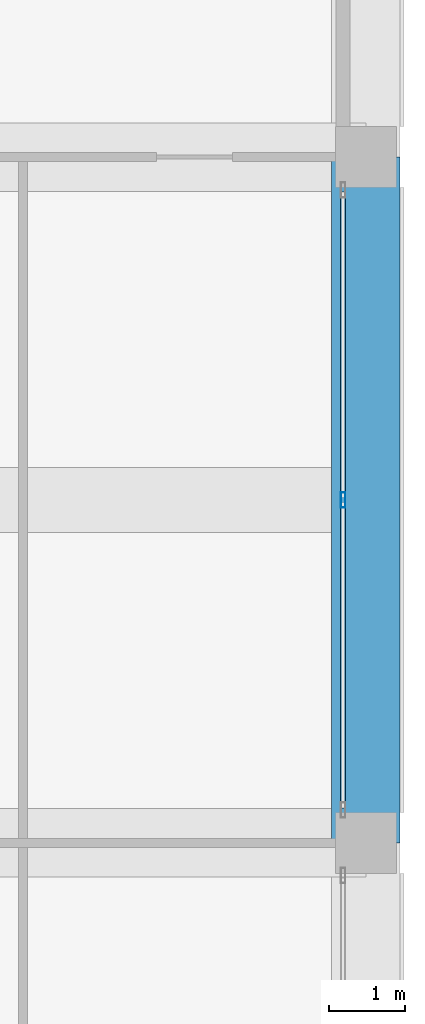
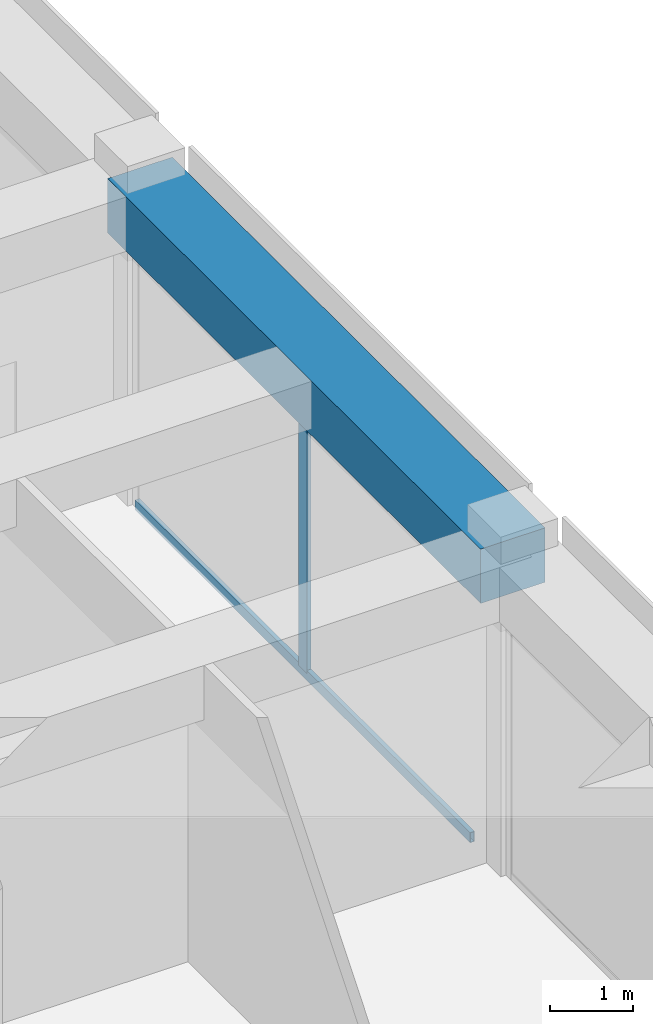
# One storey, part 35 of 46: 2 members, 1 beam, 1 element without a shape of its own.
"""IFC4 building model written with IfcOpenShell, lengths in metres."""

from ifc_helpers import new_model, si_unit, direction, frame, origin, origin_2d, place, context, subcontext, project, spatial, rectangle, hollow_rectangle, extrude, material, material_profile, profile_set, type_object, element, aggregate, save


model = new_model("IFC4")

# Units and contexts
model_context = context("Model", 3, precision=1e-05, world=origin(), true_north=direction((0.0, 1.0)))
body_context = subcontext(model_context, "Body", "Model", "MODEL_VIEW")
ifc_project = project(units=[si_unit("LENGTHUNIT", "METRE"), si_unit("AREAUNIT", "SQUARE_METRE"), si_unit("VOLUMEUNIT", "CUBIC_METRE"), si_unit("PLANEANGLEUNIT", "RADIAN"), si_unit("MASSUNIT", "GRAM", prefix="KILO")], contexts=[model_context])

# Site, building, storey
site_placement = place(None, origin())
site = spatial("IfcSite", under=ifc_project, at=site_placement, CompositionType="ELEMENT")
building_placement = place(site_placement, origin())
building = spatial("IfcBuilding", under=site, at=building_placement, Name="Zorevar Civic Tower", CompositionType="ELEMENT")
storey_placement = place(building_placement, frame((0.0, 0.0, 10.800048828125)))
storey = spatial("IfcBuildingStorey", under=building, at=storey_placement, Name="L02", CompositionType="ELEMENT", Elevation=10.800048828125)

# Curtain wall, members
ifc_material_1 = material(Name="Dark grey solar-control glass in black aluminium frame", Category="aluminium")
curtain_wall_type = type_object("IfcCurtainWallType", Name="Curtain wall CW1 podium", PredefinedType="NOTDEFINED", material=ifc_material_1)
curtain_wall_placement = place(storey_placement, origin())
curtain_wall = element("IfcCurtainWall", 1, at=curtain_wall_placement, inside=storey, type_object=curtain_wall_type, Name="CW1 L02", PredefinedType="NOTDEFINED")
ifc_material_2 = material(Name="Aluminium, black anodised", Category="aluminium")
ifc_material_profile_1 = material_profile(ifc_material_2, hollow_rectangle(XDim=0.06005859375, YDim=0.199951171875, WallThickness=0.00390625, at=origin_2d()), Name="AL 200x60x4")
ifc_profile_set_1 = profile_set([ifc_material_profile_1], Name="Aluminium, black anodised")
member_type_1 = type_object("IfcMemberType", Name="CW1 mullion AL 200x60x4", PredefinedType="MULLION", material=ifc_profile_set_1)
member_1_placement = place(storey_placement, frame((71.699951171875, 31.5, 0.06005859375), z_axis=(0.0, 0.0, 1.0), x_axis=(-1.0, 0.0, 0.0)))
member_1 = element("IfcMember", 2, at=member_1_placement, type_object=member_type_1, Name="CW1 mullion 2", PredefinedType="MULLION", context=body_context, shape_type="SweptSolid", body=[
    extrude(hollow_rectangle(XDim=0.06005859375, YDim=0.199951171875, WallThickness=0.00390625, at=origin_2d()), origin(), (0.0, 0.0, 1.0), 3.739990234375),
])
ifc_material_3 = material(Name="Aluminium, black anodised", Category="aluminium")
ifc_material_profile_2 = material_profile(ifc_material_3, hollow_rectangle(XDim=0.06005859375, YDim=0.14990234375, WallThickness=0.00390625, at=origin_2d()), Name="AL 150x60x4")
ifc_profile_set_2 = profile_set([ifc_material_profile_2], Name="Aluminium, black anodised")
member_type_2 = type_object("IfcMemberType", Name="CW1 transom AL 150x60x4", PredefinedType="USERDEFINED", material=ifc_profile_set_2)
member_2_placement = place(storey_placement, frame((71.699951171875, 27.4599609375, 0.030029296875), z_axis=(0.0, 1.0, 0.0), x_axis=(-1.0, 0.0, 0.0)))
member_2 = element("IfcMember", 3, at=member_2_placement, type_object=member_type_2, Name="CW1 sill transom", ObjectType="TRANSOM", PredefinedType="USERDEFINED", context=body_context, shape_type="SweptSolid", body=[
    extrude(hollow_rectangle(XDim=0.06005859375, YDim=0.14990234375, WallThickness=0.00390625, at=origin_2d()), origin(), (0.0, 0.0, 1.0), 8.080078125),
])
aggregate(curtain_wall, [member_1, member_2])

# Beam
ifc_material_4 = material(Name="Concrete C50/60", Category="concrete")
ifc_material_profile_3 = material_profile(ifc_material_4, rectangle(XDim=0.89990234375, YDim=0.800048828125, at=origin_2d()), Name="RC 900x800")
ifc_profile_set_3 = profile_set([ifc_material_profile_3], Name="Concrete C50/60")
beam_type = type_object("IfcBeamType", Name="Edge beam RC 900x800", PredefinedType="SPANDREL", material=ifc_profile_set_3)
beam_placement = place(storey_placement, frame((72.0, 27.0, 4.199951171875), z_axis=(0.0, 1.0, 0.0), x_axis=(-1.0, 0.0, 0.0)))
element("IfcBeam", 4, at=beam_placement, inside=storey, type_object=beam_type, Name="Edge beam L03", PredefinedType="SPANDREL", context=body_context, shape_type="SweptSolid", body=[
    extrude(rectangle(XDim=0.89990234375, YDim=0.800048828125, at=origin_2d()), origin(), (0.0, 0.0, 1.0), 9.0),
])

save(model, "model.ifc")
